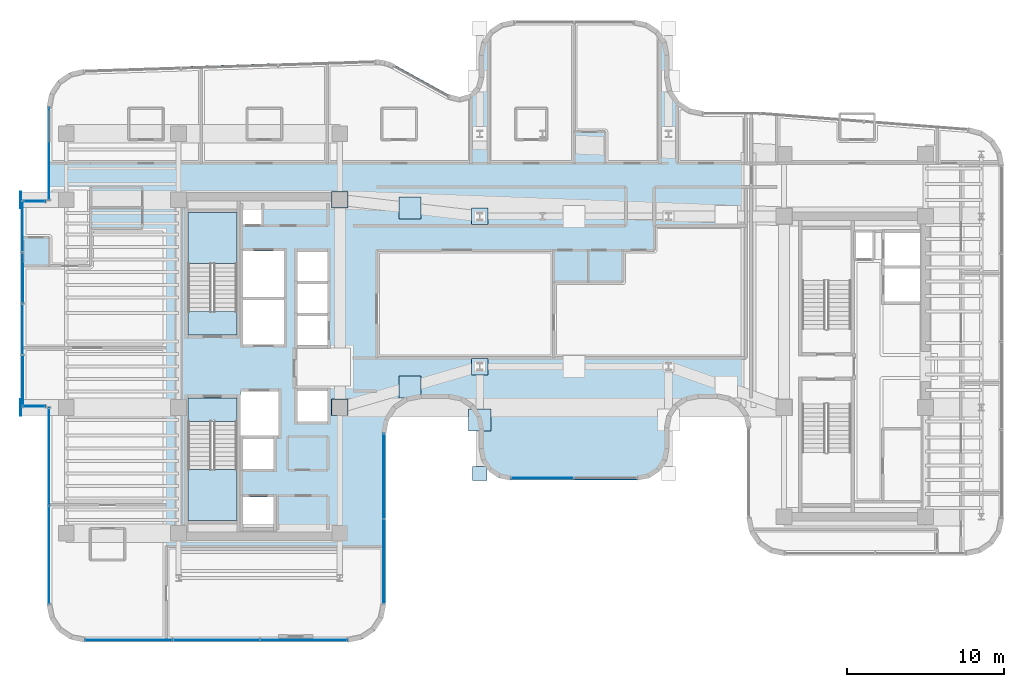
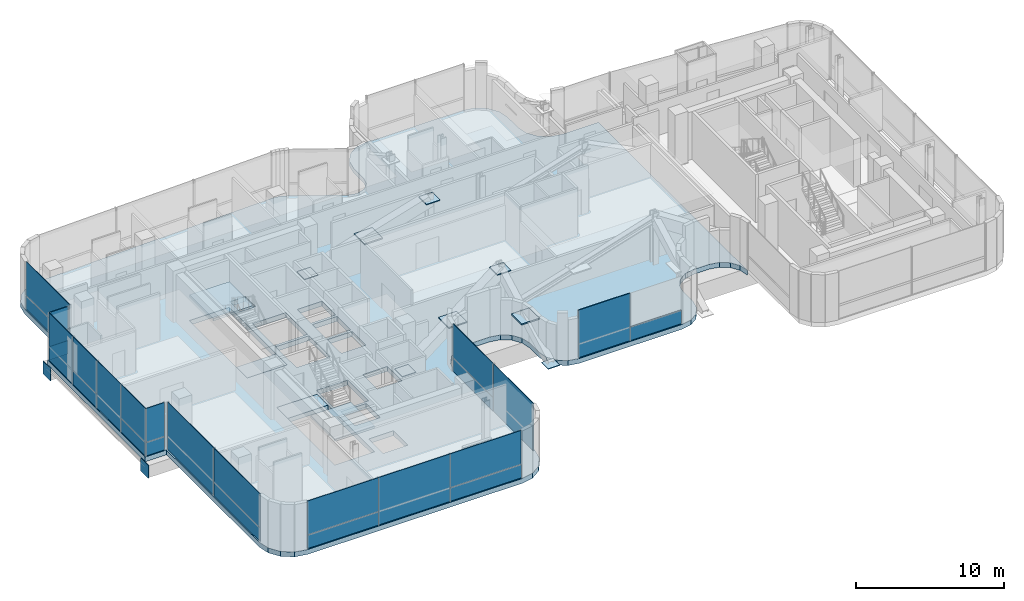
# One storey, part 24 of 37: 35 plates, 5 slabs, 10 elements without a shape of their own.
"""IFC4 building model written with IfcOpenShell, lengths in metres."""

from ifc_helpers import new_model, si_unit, direction, frame, origin, origin_2d, place, context, subcontext, project, spatial, polyline, rectangle, outline, extrude, source, transform, mapped, material, layer, layer_set, type_object, element, aggregate, save


model = new_model("IFC4")

# Units and contexts
model_context = context("Model", 3, precision=1e-05, world=origin(), true_north=direction((0.0, 1.0)))
body_context = subcontext(model_context, "Body", "Model", "MODEL_VIEW")
ifc_project = project(units=[si_unit("LENGTHUNIT", "METRE"), si_unit("AREAUNIT", "SQUARE_METRE"), si_unit("VOLUMEUNIT", "CUBIC_METRE"), si_unit("PLANEANGLEUNIT", "RADIAN"), si_unit("MASSUNIT", "GRAM", prefix="KILO")], contexts=[model_context])

# Site, building, storey
site_placement = place(None, origin())
site = spatial("IfcSite", under=ifc_project, at=site_placement, CompositionType="ELEMENT")
building_placement = place(site_placement, origin())
building = spatial("IfcBuilding", under=site, at=building_placement, Name="Valdorenza Pilgrim Sanctuary Tower", CompositionType="ELEMENT")
storey_placement = place(building_placement, frame((0.0, 0.0, 172.300048828125)))
storey = spatial("IfcBuildingStorey", under=building, at=storey_placement, Name="L44", CompositionType="ELEMENT", Elevation=172.300048828125)

# Stair, slab
ifc_material_1 = material(Name="Concrete C40/50", Category="concrete")
stair_type = type_object("IfcStairType", Name="STR-DOG-CORE", PredefinedType="HALF_TURN_STAIR", material=ifc_material_1)
stair_1_placement = place(storey_placement, origin())
stair_1 = element("IfcStair", 1, at=stair_1_placement, inside=storey, type_object=stair_type, Name="L44 ST-A1", PredefinedType="HALF_TURN_STAIR")
ifc_layer_1 = layer(ifc_material_1, 0.199951171875, Name="Concrete C40/50")
ifc_layer_set_1 = layer_set([ifc_layer_1], Name="Concrete C40/50")
slab_type_1 = type_object("IfcSlabType", Name="SLAB-STL-200", PredefinedType="LANDING", material=ifc_layer_set_1)
slab_1_placement = place(storey_placement, frame((0.0, 0.0, 1.925048828125)))
slab_1 = element("IfcSlab", 2, at=slab_1_placement, type_object=slab_type_1, Name="ST-A1 landing 1", PredefinedType="LANDING", context=body_context, shape_type="SweptSolid", body=[
    extrude(outline(polyline([(-18.93994140625, 6.56005859375), (-18.93994140625, 9.800048828125), (-22.050048828125, 9.800048828125), (-22.050048828125, 6.56005859375), (-18.93994140625, 6.56005859375)])), origin(), (0.0, 0.0, 1.0), 0.199951171875),
])
aggregate(stair_1, [slab_1])

stair_2_placement = place(storey_placement, origin())
stair_2 = element("IfcStair", 3, at=stair_2_placement, inside=storey, type_object=stair_type, Name="L44 ST-A2", PredefinedType="HALF_TURN_STAIR")
slab_2_placement = place(storey_placement, frame((0.0, 0.0, 1.925048828125)))
slab_2 = element("IfcSlab", 4, at=slab_2_placement, type_object=slab_type_1, Name="ST-A2 landing 1", PredefinedType="LANDING", context=body_context, shape_type="SweptSolid", body=[
    extrude(outline(polyline([(-22.050048828125, -6.56005859375), (-22.050048828125, -9.800048828125), (-18.93994140625, -9.800048828125), (-18.93994140625, -6.56005859375), (-22.050048828125, -6.56005859375)])), origin(), (0.0, 0.0, 1.0), 0.199951171875),
])
aggregate(stair_2, [slab_2])

# Slabs
ifc_material_2 = material(Name="Concrete C50/60", Category="concrete")
ifc_layer_2 = layer(ifc_material_2, 0.39990234375, Name="Concrete C50/60")
ifc_layer_set_2 = layer_set([ifc_layer_2], Name="Concrete C50/60")
slab_type_2 = type_object("IfcSlabType", Name="SLAB-TRF-400", PredefinedType="FLOOR", material=ifc_layer_set_2)
slab_3_placement = place(storey_placement, frame((0.0, 0.0, -0.400146484375)))
element("IfcSlab", 5, at=slab_3_placement, inside=storey, type_object=slab_type_2, Name="L44 Structural Floor Slab 1", PredefinedType="FLOOR", context=body_context, shape_type="SweptSolid", body=[
    extrude(outline(polyline([(-30.324462890625, 18.14599609375), (-29.572265625, 18.671142578125), (-28.677978515625, 18.87548828125), (-10.157958984375, 19.478515625), (-9.837158203125, 19.467529296875), (-9.520751953125, 19.413818359375), (-9.214111328125, 19.318359375), (-8.923095703125, 19.182861328125), (-5.43115234375, 17.26220703125), (-4.782958984375, 17.10107421875), (-4.139892578125, 17.2822265625), (-3.671142578125, 17.75830078125), (-3.5, 18.404052734375), (-3.5, 19.7958984375), (-3.332275390625, 20.639404296875), (-2.8544921875, 21.3544921875), (-2.139404296875, 21.832275390625), (-1.2958984375, 22.0), (6.2958984375, 22.0), (7.139404296875, 21.832275390625), (7.8544921875, 21.3544921875), (8.332275390625, 20.639404296875), (8.5, 19.7958984375), (8.5, 18.404052734375), (8.667724609375, 17.560546875), (9.1455078125, 16.845458984375), (9.860595703125, 16.367919921875), (10.7041015625, 16.199951171875), (13.5, 16.199951171875), (13.5, -3.89990234375), (13.35546875, -3.1728515625), (12.943603515625, -2.556396484375), (12.3271484375, -2.14453125), (11.60009765625, -2.0), (10.39990234375, -2.0), (9.6728515625, -2.14453125), (9.056396484375, -2.556396484375), (8.64453125, -3.1728515625), (8.5, -3.89990234375), (8.5, -5.22412109375), (8.349609375, -5.980224609375), (7.921142578125, -6.62109375), (7.2802734375, -7.049560546875), (6.52392578125, -7.199951171875), (-1.52392578125, -7.199951171875), (-2.2802734375, -7.049560546875), (-2.921142578125, -6.62109375), (-3.349609375, -5.980224609375), (-3.5, -5.22412109375), (-3.5, -3.97607421875), (-3.650390625, -3.2197265625), (-4.078857421875, -2.578857421875), (-4.7197265625, -2.150390625), (-5.47607421875, -2.0), (-7.219970703125, -2.0), (-8.092529296875, -2.173583984375), (-8.832275390625, -2.667724609375), (-9.326416015625, -3.407470703125), (-9.5, -4.280029296875), (-9.5, -15.10009765625), (-9.6826171875, -16.018310546875), (-10.202880859375, -16.797119140625), (-10.981689453125, -17.3173828125), (-11.89990234375, -17.5), (-28.60009765625, -17.5), (-29.518310546875, -17.3173828125), (-30.297119140625, -16.797119140625), (-30.8173828125, -16.018310546875), (-31.0, -15.10009765625), (-31.0, -2.60009765625), (-32.64990234375, -2.60009765625), (-32.64990234375, 10.60009765625), (-31.0, 10.60009765625), (-31.0, 16.476806640625), (-30.82470703125, 17.377197265625), (-30.324462890625, 18.14599609375)]), holes=[polyline([(-16.60009765625, -10.25), (-16.60009765625, -8.300048828125), (-18.550048828125, -8.300048828125), (-18.550048828125, -10.25), (-16.60009765625, -10.25)]), polyline([(-22.050048828125, -9.800048828125), (-18.93994140625, -9.800048828125), (-18.93994140625, -3.485107421875), (-18.93994140625, -2.0), (-22.050048828125, -2.0), (-22.050048828125, -3.485107421875), (-22.050048828125, -9.800048828125)]), polyline([(-16.60009765625, -6.5), (-16.60009765625, -4.60009765625), (-18.550048828125, -4.60009765625), (-18.550048828125, -6.5), (-16.60009765625, -6.5)]), polyline([(-18.719970703125, -4.39990234375), (-16.300048828125, -4.39990234375), (-16.300048828125, -1.60009765625), (-18.719970703125, -1.60009765625), (-18.719970703125, -4.39990234375)]), polyline([(-13.179931640625, 1.35009765625), (-13.179931640625, 3.199951171875), (-15.10009765625, 3.199951171875), (-15.10009765625, 1.35009765625), (-13.179931640625, 1.35009765625)]), polyline([(-22.050048828125, 2.0), (-18.93994140625, 2.0), (-18.93994140625, 3.485107421875), (-18.93994140625, 9.800048828125), (-22.050048828125, 9.800048828125), (-22.050048828125, 3.485107421875), (-22.050048828125, 2.0)]), polyline([(-15.949951171875, 1.39990234375), (-15.949951171875, 4.22509765625), (-18.550048828125, 4.22509765625), (-18.550048828125, 1.39990234375), (-15.949951171875, 1.39990234375)]), polyline([(-18.550048828125, 4.425048828125), (-15.949951171875, 4.425048828125), (-15.949951171875, 7.35009765625), (-18.550048828125, 7.35009765625), (-18.550048828125, 4.425048828125)]), polyline([(-17.360107421875, 9.030029296875), (-17.360107421875, 10.35009765625), (-18.570068359375, 10.35009765625), (-18.570068359375, 9.030029296875), (-17.360107421875, 9.030029296875)]), polyline([(-13.179931640625, -3.5), (-13.179931640625, -1.550048828125), (-15.10009765625, -1.550048828125), (-15.10009765625, -3.5), (-13.179931640625, -3.5)]), polyline([(-13.179931640625, 3.39990234375), (-13.179931640625, 5.25), (-15.10009765625, 5.25), (-15.10009765625, 3.39990234375), (-13.179931640625, 3.39990234375)]), polyline([(-13.179931640625, 5.449951171875), (-13.179931640625, 7.300048828125), (-15.10009765625, 7.300048828125), (-15.10009765625, 5.449951171875), (-13.179931640625, 5.449951171875)])]), origin(), (0.0, 0.0, 1.0), 0.400146484375),
])
slab_4_placement = place(storey_placement, frame((0.0, 0.0, -0.360107421875)))
element("IfcSlab", 6, at=slab_4_placement, inside=storey, type_object=slab_type_2, Name="L44 ST-A1 Structural Stair Landing Bearing Slab", PredefinedType="FLOOR", context=body_context, shape_type="SweptSolid", body=[
    extrude(outline(polyline([(-22.050048828125, 2.0), (-18.93994140625, 2.0), (-18.93994140625, 3.485107421875), (-22.050048828125, 3.485107421875), (-22.050048828125, 2.0)])), origin(), (0.0, 0.0, 1.0), 0.360107421875),
])
slab_5_placement = place(storey_placement, frame((0.0, 0.0, -0.360107421875)))
element("IfcSlab", 7, at=slab_5_placement, inside=storey, type_object=slab_type_2, Name="L44 ST-A2 Structural Stair Landing Bearing Slab", PredefinedType="FLOOR", context=body_context, shape_type="SweptSolid", body=[
    extrude(outline(polyline([(-22.050048828125, -3.485107421875), (-18.93994140625, -3.485107421875), (-18.93994140625, -2.0), (-22.050048828125, -2.0), (-22.050048828125, -3.485107421875)])), origin(), (0.0, 0.0, 1.0), 0.360107421875),
])

# Plates
ifc_material_3 = material(Name="Steel ASTM A572 Grade 42", Category="steel")
ifc_layer_3 = layer(ifc_material_3, 0.06005859375, Name="Steel ASTM A572 Grade 42")
ifc_layer_set_3 = layer_set([ifc_layer_3], Name="Steel ASTM A572 Grade 42")
plate_type_1 = type_object("IfcPlateType", Name="PLT-CAP-60", PredefinedType="SHEET", material=ifc_layer_set_3)
shared_shape_1 = source(origin(), body_context, "Body", "SweptSolid", [
    extrude(rectangle(XDim=0.06005859375, YDim=1.0400390625, at=origin_2d()), origin(), (0.0, 0.0, 1.0), 1.0400390625),
])
for number, where, z_axis, x_axis, name in (
    (8, (-32.679931640625, 10.60009765625, -1.420166015625), (0.0, 0.0, 1.0), (1.0, 0.0, 0.0), "L44 BOX-WA-L44 Cantilever Tip End Cap N"),
    (9, (-32.679931640625, -2.60009765625, -1.420166015625), (0.0, 0.0, 1.0), (1.0, 0.0, 0.0), "L44 BOX-WA-L44 Cantilever Tip End Cap S"),
):
    element("IfcPlate", number, at=place(storey_placement, frame(where, z_axis=z_axis, x_axis=x_axis)), inside=storey, type_object=plate_type_1, Name=name, PredefinedType="SHEET", context=body_context, shape_type="MappedRepresentation", body=[
        mapped(shared_shape_1, transform((0.0, 0.0, 0.0), x_axis=(1.0, 0.0, 0.0), y_axis=(0.0, 1.0, 0.0), z_axis=(0.0, 0.0, 1.0), scale=1.0)),
    ])
shared_shape_2 = source(origin(), body_context, "Body", "SweptSolid", [
    extrude(rectangle(XDim=1.050048828125, YDim=1.050048828125, at=origin_2d()), origin(), (0.0, 0.0, 1.0), 0.06005859375),
])
for number, where, z_axis, x_axis, name in (
    (10, (-12.39990234375, 10.60009765625, -0.030029296875), (0.0, 0.0, 1.0), (1.0, 0.0, 0.0), "L44 Portal Bridge Truss Diagonal W1 End Connection Plate 1"),
    (11, (-3.5, 9.550048828125, 3.669921875), (0.0, 0.0, 1.0), (1.0, 0.0, 0.0), "L44 Portal Bridge Truss Diagonal W1 End Connection Plate 2"),
    (12, (-12.39990234375, -2.60009765625, -0.030029296875), (0.0, 0.0, 1.0), (1.0, 0.0, 0.0), "L44 Portal Bridge Truss Diagonal W2 End Connection Plate 1"),
    (13, (-3.5, 0.0, 3.669921875), (0.0, 0.0, 1.0), (1.0, 0.0, 0.0), "L44 Portal Bridge Truss Diagonal W2 End Connection Plate 2"),
):
    element("IfcPlate", number, at=place(storey_placement, frame(where, z_axis=z_axis, x_axis=x_axis)), inside=storey, type_object=plate_type_1, Name=name, PredefinedType="SHEET", context=body_context, shape_type="MappedRepresentation", body=[
        mapped(shared_shape_2, transform((0.0, 0.0, 0.0), x_axis=(1.0, 0.0, 0.0), y_axis=(0.0, 1.0, 0.0), z_axis=(0.0, 0.0, 1.0), scale=1.0)),
    ])
ifc_layer_4 = layer(ifc_material_3, 0.090087890625, Name="Steel ASTM A572 Grade 42")
ifc_layer_set_4 = layer_set([ifc_layer_4], Name="Steel ASTM A572 Grade 42")
plate_type_2 = type_object("IfcPlateType", Name="PLT-GUS-90", PredefinedType="USERDEFINED", material=ifc_layer_set_4)
shared_shape_3 = source(origin(), body_context, "Body", "SweptSolid", [
    extrude(rectangle(XDim=1.39990234375, YDim=1.39990234375, at=origin_2d()), origin(), (0.0, 0.0, 1.0), 0.090087890625),
])
for number, where, z_axis, x_axis, name in (
    (14, (-7.949951171875, 10.074951171875, 1.8046875), (0.0, 0.0, 1.0), (1.0, 0.0, 0.0), "Truss Node Gusset Assembly PN-01 (MB-PRY44-W1)"),
    (15, (-7.949951171875, -1.300048828125, 1.8046875), (0.0, 0.0, 1.0), (1.0, 0.0, 0.0), "Truss Node Gusset Assembly PN-01 (MB-PRY44-W2)"),
    (16, (-3.5, -3.39990234375, 1.8046875), (0.0, 0.0, 1.0), (1.0, 0.0, 0.0), "Truss Node Gusset Assembly PN-02 (MB-PROW-S-W)"),
):
    element("IfcPlate", number, at=place(storey_placement, frame(where, z_axis=z_axis, x_axis=x_axis)), inside=storey, type_object=plate_type_2, Name=name, ObjectType="GUSSET PLATE", PredefinedType="USERDEFINED", context=body_context, shape_type="MappedRepresentation", body=[
        mapped(shared_shape_3, transform((0.0, 0.0, 0.0), x_axis=(1.0, 0.0, 0.0), y_axis=(0.0, 1.0, 0.0), z_axis=(0.0, 0.0, 1.0), scale=1.0)),
    ])
shared_shape_4 = source(origin(), body_context, "Body", "SweptSolid", [
    extrude(rectangle(XDim=0.89990234375, YDim=0.89990234375, at=origin_2d()), origin(), (0.0, 0.0, 1.0), 0.06005859375),
])
plate_1_placement = place(storey_placement, frame((-3.5, -6.800048828125, -0.030029296875), z_axis=(0.0, 0.0, 1.0), x_axis=(1.0, 0.0, 0.0)))
element("IfcPlate", 17, at=plate_1_placement, inside=storey, type_object=plate_type_1, Name="South Sanctuary Prow Truss Tie W End Connection Plate 1", PredefinedType="SHEET", context=body_context, shape_type="MappedRepresentation", body=[
    mapped(shared_shape_4, transform((0.0, 0.0, 0.0), x_axis=(1.0, 0.0, 0.0), y_axis=(0.0, 1.0, 0.0), z_axis=(0.0, 0.0, 1.0), scale=1.0)),
])

# Curtain wall, plate
ifc_material_4 = material(Name="Curtain-wall IGU glazing", Category="glass")
curtain_wall_type_1 = type_object("IfcCurtainWallType", Name="CW-SYS-02", PredefinedType="NOTDEFINED", material=ifc_material_4)
curtain_wall_1_placement = place(storey_placement, origin())
curtain_wall_1 = element("IfcCurtainWall", 18, at=curtain_wall_1_placement, inside=storey, type_object=curtain_wall_type_1, Name="L44 Curtain Wall CW-L44-BOX-WA-L44-S", PredefinedType="NOTDEFINED")
ifc_material_5 = material(Name="Honed travertine limestone", Category="masonry")
ifc_layer_5 = layer(ifc_material_5, 0.050048828125, Name="Honed travertine limestone")
ifc_layer_set_5 = layer_set([ifc_layer_5], Name="Honed travertine limestone")
plate_type_3 = type_object("IfcPlateType", Name="CW-SPN-TRV", PredefinedType="USERDEFINED", material=ifc_layer_set_5)
shared_shape_5 = source(origin(), body_context, "Body", "SweptSolid", [
    extrude(rectangle(XDim=1.43994140625, YDim=0.06005859375, at=origin_2d()), origin(), (0.0, 0.0, 1.0), 1.10009765625),
])
plate_2_placement = place(storey_placement, frame((-31.840087890625, -2.52001953125, 0.010009765625), z_axis=(0.0, 0.0, 1.0), x_axis=(-1.0, 0.0, 0.0)))
plate_2 = element("IfcPlate", 19, at=plate_2_placement, type_object=plate_type_3, Name="CW-L44-BOX-WA-L44-S Travertine Spandrel 1", ObjectType="SPANDREL", PredefinedType="USERDEFINED", context=body_context, shape_type="MappedRepresentation", body=[
    mapped(shared_shape_5, transform((0.0, 0.0, 0.0), x_axis=(1.0, 0.0, 0.0), y_axis=(0.0, 1.0, 0.0), z_axis=(0.0, 0.0, 1.0), scale=1.0)),
])

curtain_wall_2_placement = place(storey_placement, origin())
curtain_wall_2 = element("IfcCurtainWall", 20, at=curtain_wall_2_placement, inside=storey, type_object=curtain_wall_type_1, Name="L44 Curtain Wall CW-L44-BOX-WA-L44-N", PredefinedType="NOTDEFINED")
plate_3_placement = place(storey_placement, frame((-31.840087890625, 10.52001953125, 0.010009765625), z_axis=(0.0, 0.0, 1.0), x_axis=(1.0, 0.0, 0.0)))
plate_3 = element("IfcPlate", 21, at=plate_3_placement, type_object=plate_type_3, Name="CW-L44-BOX-WA-L44-N Travertine Spandrel 1", ObjectType="SPANDREL", PredefinedType="USERDEFINED", context=body_context, shape_type="MappedRepresentation", body=[
    mapped(shared_shape_5, transform((0.0, 0.0, 0.0), x_axis=(1.0, 0.0, 0.0), y_axis=(0.0, 1.0, 0.0), z_axis=(0.0, 0.0, 1.0), scale=1.0)),
])

# Curtain wall, plates
curtain_wall_3_placement = place(storey_placement, origin())
curtain_wall_3 = element("IfcCurtainWall", 22, at=curtain_wall_3_placement, inside=storey, type_object=curtain_wall_type_1, Name="L44 Curtain Wall CW-L44-BOX-WA-L44-F", PredefinedType="NOTDEFINED")
shared_shape_6 = source(origin(), body_context, "Body", "SweptSolid", [
    extrude(rectangle(XDim=3.239990234375, YDim=0.06005859375, at=origin_2d()), origin(), (0.0, 0.0, 1.0), 1.10009765625),
])
plate_4_placement = place(storey_placement, frame((-32.570068359375, -0.889892578125, 0.010009765625), z_axis=(0.0, 0.0, 1.0), x_axis=(0.0, 1.0, 0.0)))
plate_4 = element("IfcPlate", 23, at=plate_4_placement, type_object=plate_type_3, Name="CW-L44-BOX-WA-L44-F Travertine Spandrel 1", ObjectType="SPANDREL", PredefinedType="USERDEFINED", context=body_context, shape_type="MappedRepresentation", body=[
    mapped(shared_shape_6, transform((0.0, 0.0, 0.0), x_axis=(1.0, 0.0, 0.0), y_axis=(0.0, 1.0, 0.0), z_axis=(0.0, 0.0, 1.0), scale=1.0)),
])
plate_5_placement = place(storey_placement, frame((-32.570068359375, 5.6298828125, 0.010009765625), z_axis=(0.0, 0.0, 1.0), x_axis=(0.0, 1.0, 0.0)))
plate_5 = element("IfcPlate", 24, at=plate_5_placement, type_object=plate_type_3, Name="CW-L44-BOX-WA-L44-F Travertine Spandrel 3", ObjectType="SPANDREL", PredefinedType="USERDEFINED", context=body_context, shape_type="MappedRepresentation", body=[
    mapped(shared_shape_6, transform((0.0, 0.0, 0.0), x_axis=(1.0, 0.0, 0.0), y_axis=(0.0, 1.0, 0.0), z_axis=(0.0, 0.0, 1.0), scale=1.0)),
])

curtain_wall_4_placement = place(storey_placement, origin())
curtain_wall_4 = element("IfcCurtainWall", 25, at=curtain_wall_4_placement, inside=storey, type_object=curtain_wall_type_1, Name="L44 Curtain Wall CW-L44-1-1S1", PredefinedType="NOTDEFINED")
shared_shape_7 = source(origin(), body_context, "Body", "SweptSolid", [
    extrude(rectangle(XDim=6.224609375, YDim=0.06005859375, at=origin_2d()), origin(), (0.0, 0.0, 1.0), 1.10009765625),
])
plate_6_placement = place(storey_placement, frame((-30.889892578125, -11.966796875, 0.010009765625), z_axis=(0.0, 0.0, 1.0), x_axis=(0.0, 1.0, 0.0)))
plate_6 = element("IfcPlate", 26, at=plate_6_placement, type_object=plate_type_3, Name="CW-L44-1-1S1 Travertine Spandrel 1", ObjectType="SPANDREL", PredefinedType="USERDEFINED", context=body_context, shape_type="MappedRepresentation", body=[
    mapped(shared_shape_7, transform((0.0, 0.0, 0.0), x_axis=(1.0, 0.0, 0.0), y_axis=(0.0, 1.0, 0.0), z_axis=(0.0, 0.0, 1.0), scale=1.0)),
])
ifc_material_6 = material(Name="Ceramic-fritted low-E IGU glazing", Category="glass")
ifc_layer_6 = layer(ifc_material_6, 0.035888671875, Name="Ceramic-fritted low-E IGU glazing")
ifc_layer_set_6 = layer_set([ifc_layer_6], Name="Ceramic-fritted low-E IGU glazing")
plate_type_4 = type_object("IfcPlateType", Name="CW-GLZ-IGU", PredefinedType="USERDEFINED", material=ifc_layer_set_6)
shared_shape_8 = source(origin(), body_context, "Body", "SweptSolid", [
    extrude(rectangle(XDim=6.224609375, YDim=0.050048828125, at=origin_2d()), origin(), (0.0, 0.0, 1.0), 2.7900390625),
])
plate_7_placement = place(storey_placement, frame((-30.889892578125, -11.966796875, 1.1298828125), z_axis=(0.0, 0.0, 1.0), x_axis=(0.0, 1.0, 0.0)))
plate_7 = element("IfcPlate", 27, at=plate_7_placement, type_object=plate_type_4, Name="CW-L44-1-1S1 Facade Panel 1", ObjectType="GLAZING", PredefinedType="USERDEFINED", context=body_context, shape_type="MappedRepresentation", body=[
    mapped(shared_shape_8, transform((0.0, 0.0, 0.0), x_axis=(1.0, 0.0, 0.0), y_axis=(0.0, 1.0, 0.0), z_axis=(0.0, 0.0, 1.0), scale=1.0)),
])
shared_shape_9 = source(origin(), body_context, "Body", "SweptSolid", [
    extrude(rectangle(XDim=6.224609375, YDim=0.050048828125, at=origin_2d()), origin(), (0.0, 0.0, 1.0), 3.909912109375),
])
plate_8_placement = place(storey_placement, frame((-30.889892578125, -5.722412109375, 0.009765625), z_axis=(0.0, 0.0, 1.0), x_axis=(0.0, 1.0, 0.0)))
plate_8 = element("IfcPlate", 28, at=plate_8_placement, type_object=plate_type_4, Name="CW-L44-1-1S1 Full-Height Facade Panel 2", ObjectType="GLAZING", PredefinedType="USERDEFINED", context=body_context, shape_type="MappedRepresentation", body=[
    mapped(shared_shape_9, transform((0.0, 0.0, 0.0), x_axis=(1.0, 0.0, 0.0), y_axis=(0.0, 1.0, 0.0), z_axis=(0.0, 0.0, 1.0), scale=1.0)),
])
aggregate(curtain_wall_4, [plate_6, plate_7, plate_8])

curtain_wall_5_placement = place(storey_placement, origin())
curtain_wall_5 = element("IfcCurtainWall", 29, at=curtain_wall_5_placement, inside=storey, type_object=curtain_wall_type_1, Name="L44 Curtain Wall CW-L44-1-1S2", PredefinedType="NOTDEFINED")
shared_shape_10 = source(origin(), body_context, "Body", "SweptSolid", [
    extrude(rectangle(XDim=5.84619140625, YDim=0.06005859375, at=origin_2d()), origin(), (0.0, 0.0, 1.0), 1.10009765625),
])
plate_9_placement = place(storey_placement, frame((-30.889892578125, 13.533203125, 0.010009765625), z_axis=(0.0, 0.0, 1.0), x_axis=(0.0, 1.0, 0.0)))
plate_9 = element("IfcPlate", 30, at=plate_9_placement, type_object=plate_type_3, Name="CW-L44-1-1S2 Travertine Spandrel 1", ObjectType="SPANDREL", PredefinedType="USERDEFINED", context=body_context, shape_type="MappedRepresentation", body=[
    mapped(shared_shape_10, transform((0.0, 0.0, 0.0), x_axis=(1.0, 0.0, 0.0), y_axis=(0.0, 1.0, 0.0), z_axis=(0.0, 0.0, 1.0), scale=1.0)),
])
shared_shape_11 = source(origin(), body_context, "Body", "SweptSolid", [
    extrude(rectangle(XDim=5.84619140625, YDim=0.050048828125, at=origin_2d()), origin(), (0.0, 0.0, 1.0), 2.7900390625),
])
plate_10_placement = place(storey_placement, frame((-30.889892578125, 13.533203125, 1.1298828125), z_axis=(0.0, 0.0, 1.0), x_axis=(0.0, 1.0, 0.0)))
plate_10 = element("IfcPlate", 31, at=plate_10_placement, type_object=plate_type_4, Name="CW-L44-1-1S2 Facade Panel 1", ObjectType="GLAZING", PredefinedType="USERDEFINED", context=body_context, shape_type="MappedRepresentation", body=[
    mapped(shared_shape_11, transform((0.0, 0.0, 0.0), x_axis=(1.0, 0.0, 0.0), y_axis=(0.0, 1.0, 0.0), z_axis=(0.0, 0.0, 1.0), scale=1.0)),
])
aggregate(curtain_wall_5, [plate_9, plate_10])

curtain_wall_type_2 = type_object("IfcCurtainWallType", Name="CW-SYS-05", PredefinedType="NOTDEFINED", material=ifc_material_4)
curtain_wall_6_placement = place(storey_placement, origin())
curtain_wall_6 = element("IfcCurtainWall", 32, at=curtain_wall_6_placement, inside=storey, type_object=curtain_wall_type_2, Name="L44 Curtain Wall CW-L44-1-62", PredefinedType="NOTDEFINED")
shared_shape_12 = source(origin(), body_context, "Body", "SweptSolid", [
    extrude(rectangle(XDim=3.9931640625, YDim=0.06005859375, at=origin_2d()), origin(), (0.0, 0.0, 1.0), 1.10009765625),
])
plate_11_placement = place(storey_placement, frame((4.506591796875, -7.090087890625, 0.010009765625), z_axis=(0.0, 0.0, 1.0), x_axis=(-1.0, 0.0, 0.0)))
plate_11 = element("IfcPlate", 33, at=plate_11_placement, type_object=plate_type_3, Name="CW-L44-1-62 Travertine Spandrel 1", ObjectType="SPANDREL", PredefinedType="USERDEFINED", context=body_context, shape_type="MappedRepresentation", body=[
    mapped(shared_shape_12, transform((0.0, 0.0, 0.0), x_axis=(1.0, 0.0, 0.0), y_axis=(0.0, 1.0, 0.0), z_axis=(0.0, 0.0, 1.0), scale=1.0)),
])
shared_shape_13 = source(origin(), body_context, "Body", "SweptSolid", [
    extrude(rectangle(XDim=3.9931640625, YDim=0.050048828125, at=origin_2d()), origin(), (0.0, 0.0, 1.0), 3.909912109375),
])
plate_12_placement = place(storey_placement, frame((0.493408203125, -7.090087890625, 0.009765625), z_axis=(0.0, 0.0, 1.0), x_axis=(-1.0, 0.0, 0.0)))
plate_12 = element("IfcPlate", 34, at=plate_12_placement, type_object=plate_type_4, Name="CW-L44-1-62 Full-Height Facade Panel 2", ObjectType="GLAZING", PredefinedType="USERDEFINED", context=body_context, shape_type="MappedRepresentation", body=[
    mapped(shared_shape_13, transform((0.0, 0.0, 0.0), x_axis=(1.0, 0.0, 0.0), y_axis=(0.0, 1.0, 0.0), z_axis=(0.0, 0.0, 1.0), scale=1.0)),
])
aggregate(curtain_wall_6, [plate_11, plate_12])

curtain_wall_7_placement = place(storey_placement, origin())
curtain_wall_7 = element("IfcCurtainWall", 35, at=curtain_wall_7_placement, inside=storey, type_object=curtain_wall_type_2, Name="L44 Curtain Wall CW-L44-1-77", PredefinedType="NOTDEFINED")
shared_shape_14 = source(origin(), body_context, "Body", "SweptSolid", [
    extrude(rectangle(XDim=5.389892578125, YDim=0.06005859375, at=origin_2d()), origin(), (0.0, 0.0, 1.0), 1.10009765625),
])
plate_13_placement = place(storey_placement, frame((-9.610107421875, -6.97412109375, 0.010009765625), z_axis=(0.0, 0.0, 1.0), x_axis=(0.0, -1.0, 0.0)))
plate_13 = element("IfcPlate", 36, at=plate_13_placement, type_object=plate_type_3, Name="CW-L44-1-77 Travertine Spandrel 1", ObjectType="SPANDREL", PredefinedType="USERDEFINED", context=body_context, shape_type="MappedRepresentation", body=[
    mapped(shared_shape_14, transform((0.0, 0.0, 0.0), x_axis=(1.0, 0.0, 0.0), y_axis=(0.0, 1.0, 0.0), z_axis=(0.0, 0.0, 1.0), scale=1.0)),
])
shared_shape_15 = source(origin(), body_context, "Body", "SweptSolid", [
    extrude(rectangle(XDim=5.389892578125, YDim=0.050048828125, at=origin_2d()), origin(), (0.0, 0.0, 1.0), 2.7900390625),
])
plate_14_placement = place(storey_placement, frame((-9.610107421875, -6.97412109375, 1.1298828125), z_axis=(0.0, 0.0, 1.0), x_axis=(0.0, -1.0, 0.0)))
plate_14 = element("IfcPlate", 37, at=plate_14_placement, type_object=plate_type_4, Name="CW-L44-1-77 Facade Panel 1", ObjectType="GLAZING", PredefinedType="USERDEFINED", context=body_context, shape_type="MappedRepresentation", body=[
    mapped(shared_shape_15, transform((0.0, 0.0, 0.0), x_axis=(1.0, 0.0, 0.0), y_axis=(0.0, 1.0, 0.0), z_axis=(0.0, 0.0, 1.0), scale=1.0)),
])
shared_shape_16 = source(origin(), body_context, "Body", "SweptSolid", [
    extrude(rectangle(XDim=5.389892578125, YDim=0.050048828125, at=origin_2d()), origin(), (0.0, 0.0, 1.0), 3.909912109375),
])
plate_15_placement = place(storey_placement, frame((-9.610107421875, -12.38427734375, 0.009765625), z_axis=(0.0, 0.0, 1.0), x_axis=(0.0, -1.0, 0.0)))
plate_15 = element("IfcPlate", 38, at=plate_15_placement, type_object=plate_type_4, Name="CW-L44-1-77 Full-Height Facade Panel 2", ObjectType="GLAZING", PredefinedType="USERDEFINED", context=body_context, shape_type="MappedRepresentation", body=[
    mapped(shared_shape_16, transform((0.0, 0.0, 0.0), x_axis=(1.0, 0.0, 0.0), y_axis=(0.0, 1.0, 0.0), z_axis=(0.0, 0.0, 1.0), scale=1.0)),
])
aggregate(curtain_wall_7, [plate_13, plate_14, plate_15])

curtain_wall_8_placement = place(storey_placement, origin())
curtain_wall_8 = element("IfcCurtainWall", 39, at=curtain_wall_8_placement, inside=storey, type_object=curtain_wall_type_1, Name="L44 Curtain Wall CW-L44-1-82", PredefinedType="NOTDEFINED")
shared_shape_17 = source(origin(), body_context, "Body", "SweptSolid", [
    extrude(rectangle(XDim=5.53955078125, YDim=0.06005859375, at=origin_2d()), origin(), (0.0, 0.0, 1.0), 1.10009765625),
])
plate_16_placement = place(storey_placement, frame((-14.6904296875, -17.389892578125, 0.010009765625), z_axis=(0.0, 0.0, 1.0), x_axis=(-1.0, 0.0, 0.0)))
plate_16 = element("IfcPlate", 40, at=plate_16_placement, type_object=plate_type_3, Name="CW-L44-1-82 Travertine Spandrel 1", ObjectType="SPANDREL", PredefinedType="USERDEFINED", context=body_context, shape_type="MappedRepresentation", body=[
    mapped(shared_shape_17, transform((0.0, 0.0, 0.0), x_axis=(1.0, 0.0, 0.0), y_axis=(0.0, 1.0, 0.0), z_axis=(0.0, 0.0, 1.0), scale=1.0)),
])
plate_17_placement = place(storey_placement, frame((-25.8095703125, -17.389892578125, 0.010009765625), z_axis=(0.0, 0.0, 1.0), x_axis=(-1.0, 0.0, 0.0)))
plate_17 = element("IfcPlate", 41, at=plate_17_placement, type_object=plate_type_3, Name="CW-L44-1-82 Travertine Spandrel 3", ObjectType="SPANDREL", PredefinedType="USERDEFINED", context=body_context, shape_type="MappedRepresentation", body=[
    mapped(shared_shape_17, transform((0.0, 0.0, 0.0), x_axis=(1.0, 0.0, 0.0), y_axis=(0.0, 1.0, 0.0), z_axis=(0.0, 0.0, 1.0), scale=1.0)),
])
shared_shape_18 = source(origin(), body_context, "Body", "SweptSolid", [
    extrude(rectangle(XDim=5.53955078125, YDim=0.050048828125, at=origin_2d()), origin(), (0.0, 0.0, 1.0), 2.7900390625),
])
plate_18_placement = place(storey_placement, frame((-14.6904296875, -17.389892578125, 1.1298828125), z_axis=(0.0, 0.0, 1.0), x_axis=(-1.0, 0.0, 0.0)))
plate_18 = element("IfcPlate", 42, at=plate_18_placement, type_object=plate_type_4, Name="CW-L44-1-82 Facade Panel 1", ObjectType="GLAZING", PredefinedType="USERDEFINED", context=body_context, shape_type="MappedRepresentation", body=[
    mapped(shared_shape_18, transform((0.0, 0.0, 0.0), x_axis=(1.0, 0.0, 0.0), y_axis=(0.0, 1.0, 0.0), z_axis=(0.0, 0.0, 1.0), scale=1.0)),
])
plate_19_placement = place(storey_placement, frame((-25.8095703125, -17.389892578125, 1.1298828125), z_axis=(0.0, 0.0, 1.0), x_axis=(-1.0, 0.0, 0.0)))
plate_19 = element("IfcPlate", 43, at=plate_19_placement, type_object=plate_type_4, Name="CW-L44-1-82 Facade Panel 3", ObjectType="GLAZING", PredefinedType="USERDEFINED", context=body_context, shape_type="MappedRepresentation", body=[
    mapped(shared_shape_18, transform((0.0, 0.0, 0.0), x_axis=(1.0, 0.0, 0.0), y_axis=(0.0, 1.0, 0.0), z_axis=(0.0, 0.0, 1.0), scale=1.0)),
])
shared_shape_19 = source(origin(), body_context, "Body", "SweptSolid", [
    extrude(rectangle(XDim=5.53955078125, YDim=0.050048828125, at=origin_2d()), origin(), (0.0, 0.0, 1.0), 3.909912109375),
])
plate_20_placement = place(storey_placement, frame((-20.25, -17.389892578125, 0.009765625), z_axis=(0.0, 0.0, 1.0), x_axis=(-1.0, 0.0, 0.0)))
plate_20 = element("IfcPlate", 44, at=plate_20_placement, type_object=plate_type_4, Name="CW-L44-1-82 Full-Height Facade Panel 2", ObjectType="GLAZING", PredefinedType="USERDEFINED", context=body_context, shape_type="MappedRepresentation", body=[
    mapped(shared_shape_19, transform((0.0, 0.0, 0.0), x_axis=(1.0, 0.0, 0.0), y_axis=(0.0, 1.0, 0.0), z_axis=(0.0, 0.0, 1.0), scale=1.0)),
])
aggregate(curtain_wall_8, [plate_16, plate_18, plate_20, plate_17, plate_19])

# Plate
shared_shape_20 = source(origin(), body_context, "Body", "SweptSolid", [
    extrude(rectangle(XDim=1.43994140625, YDim=0.050048828125, at=origin_2d()), origin(), (0.0, 0.0, 1.0), 2.7900390625),
])
plate_21_placement = place(storey_placement, frame((-31.840087890625, -2.52001953125, 1.1298828125), z_axis=(0.0, 0.0, 1.0), x_axis=(-1.0, 0.0, 0.0)))
plate_21 = element("IfcPlate", 45, at=plate_21_placement, type_object=plate_type_4, Name="CW-L44-BOX-WA-L44-S Facade Panel 1", ObjectType="GLAZING", PredefinedType="USERDEFINED", context=body_context, shape_type="MappedRepresentation", body=[
    mapped(shared_shape_20, transform((0.0, 0.0, 0.0), x_axis=(1.0, 0.0, 0.0), y_axis=(0.0, 1.0, 0.0), z_axis=(0.0, 0.0, 1.0), scale=1.0)),
])

aggregate(curtain_wall_1, [plate_2, plate_21])

plate_22_placement = place(storey_placement, frame((-31.840087890625, 10.52001953125, 1.1298828125), z_axis=(0.0, 0.0, 1.0), x_axis=(1.0, 0.0, 0.0)))
plate_22 = element("IfcPlate", 46, at=plate_22_placement, type_object=plate_type_4, Name="CW-L44-BOX-WA-L44-N Facade Panel 1", ObjectType="GLAZING", PredefinedType="USERDEFINED", context=body_context, shape_type="MappedRepresentation", body=[
    mapped(shared_shape_20, transform((0.0, 0.0, 0.0), x_axis=(1.0, 0.0, 0.0), y_axis=(0.0, 1.0, 0.0), z_axis=(0.0, 0.0, 1.0), scale=1.0)),
])

aggregate(curtain_wall_2, [plate_3, plate_22])

shared_shape_21 = source(origin(), body_context, "Body", "SweptSolid", [
    extrude(rectangle(XDim=3.239990234375, YDim=0.050048828125, at=origin_2d()), origin(), (0.0, 0.0, 1.0), 2.7900390625),
])
plate_23_placement = place(storey_placement, frame((-32.570068359375, -0.889892578125, 1.1298828125), z_axis=(0.0, 0.0, 1.0), x_axis=(0.0, 1.0, 0.0)))
plate_23 = element("IfcPlate", 47, at=plate_23_placement, type_object=plate_type_4, Name="CW-L44-BOX-WA-L44-F Facade Panel 1", ObjectType="GLAZING", PredefinedType="USERDEFINED", context=body_context, shape_type="MappedRepresentation", body=[
    mapped(shared_shape_21, transform((0.0, 0.0, 0.0), x_axis=(1.0, 0.0, 0.0), y_axis=(0.0, 1.0, 0.0), z_axis=(0.0, 0.0, 1.0), scale=1.0)),
])

plate_24_placement = place(storey_placement, frame((-32.570068359375, 5.6298828125, 1.1298828125), z_axis=(0.0, 0.0, 1.0), x_axis=(0.0, 1.0, 0.0)))
plate_24 = element("IfcPlate", 48, at=plate_24_placement, type_object=plate_type_4, Name="CW-L44-BOX-WA-L44-F Facade Panel 3", ObjectType="GLAZING", PredefinedType="USERDEFINED", context=body_context, shape_type="MappedRepresentation", body=[
    mapped(shared_shape_21, transform((0.0, 0.0, 0.0), x_axis=(1.0, 0.0, 0.0), y_axis=(0.0, 1.0, 0.0), z_axis=(0.0, 0.0, 1.0), scale=1.0)),
])

shared_shape_22 = source(origin(), body_context, "Body", "SweptSolid", [
    extrude(rectangle(XDim=3.239990234375, YDim=0.050048828125, at=origin_2d()), origin(), (0.0, 0.0, 1.0), 3.909912109375),
])
plate_25_placement = place(storey_placement, frame((-32.570068359375, 2.3701171875, 0.009765625), z_axis=(0.0, 0.0, 1.0), x_axis=(0.0, 1.0, 0.0)))
plate_25 = element("IfcPlate", 49, at=plate_25_placement, type_object=plate_type_4, Name="CW-L44-BOX-WA-L44-F Full-Height Facade Panel 2", ObjectType="GLAZING", PredefinedType="USERDEFINED", context=body_context, shape_type="MappedRepresentation", body=[
    mapped(shared_shape_22, transform((0.0, 0.0, 0.0), x_axis=(1.0, 0.0, 0.0), y_axis=(0.0, 1.0, 0.0), z_axis=(0.0, 0.0, 1.0), scale=1.0)),
])

plate_26_placement = place(storey_placement, frame((-32.570068359375, 8.889892578125, 0.009765625), z_axis=(0.0, 0.0, 1.0), x_axis=(0.0, 1.0, 0.0)))
plate_26 = element("IfcPlate", 50, at=plate_26_placement, type_object=plate_type_4, Name="CW-L44-BOX-WA-L44-F Full-Height Facade Panel 4", ObjectType="GLAZING", PredefinedType="USERDEFINED", context=body_context, shape_type="MappedRepresentation", body=[
    mapped(shared_shape_22, transform((0.0, 0.0, 0.0), x_axis=(1.0, 0.0, 0.0), y_axis=(0.0, 1.0, 0.0), z_axis=(0.0, 0.0, 1.0), scale=1.0)),
])

aggregate(curtain_wall_3, [plate_4, plate_23, plate_25, plate_5, plate_24, plate_26])

save(model, "model.ifc")
